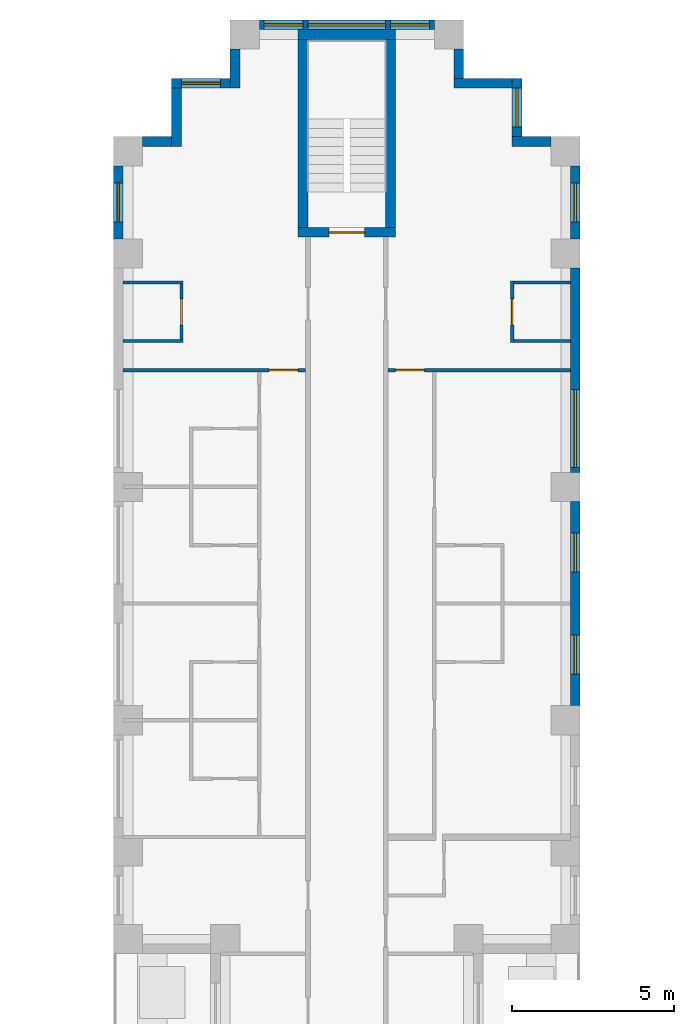
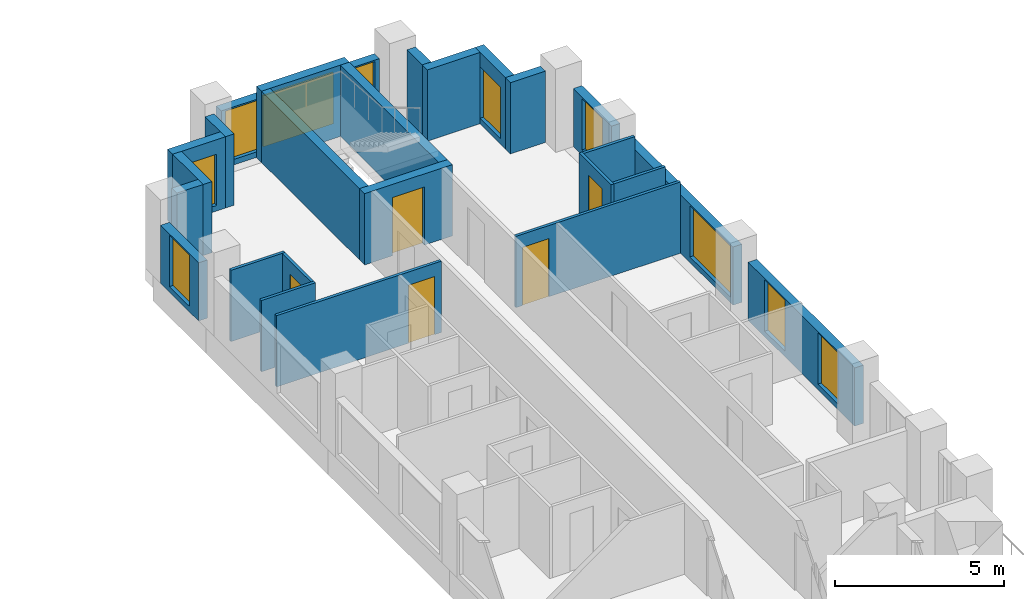
# One storey, part 12 of 15: 25 walls, 10 windows, 5 doors, 15 openings.
"""IFC4 building model written with IfcOpenShell, lengths in metres."""

from ifc_helpers import new_model, si_unit, direction, frame, frame_2d, origin, place, context, subcontext, project, spatial, rectangle, extrude, material, layer, layer_set, type_object, element, fill, save


model = new_model("IFC4")

# Units and contexts
model_context = context("Model", 3, precision=1e-05, world=origin(), true_north=direction((0.0, 1.0)))
body_context = subcontext(model_context, "Body", "Model", "MODEL_VIEW")
ifc_project = project(units=[si_unit("LENGTHUNIT", "METRE"), si_unit("AREAUNIT", "SQUARE_METRE"), si_unit("VOLUMEUNIT", "CUBIC_METRE"), si_unit("PLANEANGLEUNIT", "RADIAN"), si_unit("MASSUNIT", "GRAM", prefix="KILO")], contexts=[model_context])

# Site, building, storey
site_placement = place(None, origin())
site = spatial("IfcSite", under=ifc_project, at=site_placement, CompositionType="ELEMENT")
building_placement = place(site_placement, origin())
building = spatial("IfcBuilding", under=site, at=building_placement, Name="Fustian Cross Tower", CompositionType="ELEMENT")
storey_placement = place(building_placement, frame((0.0, 0.0, 29.699951171875)))
storey = spatial("IfcBuildingStorey", under=building, at=storey_placement, Name="L08", CompositionType="ELEMENT", Elevation=29.699951171875)

# Wall, opening, door
ifc_material_1 = material(Name="Plasterboard on steel stud", Category="steel")
ifc_layer_1 = layer(ifc_material_1, 0.10009765625)
ifc_layer_set_1 = layer_set([ifc_layer_1], Name="Plasterboard on steel stud")
wall_type_1 = type_object("IfcWallType", Name="PARTITION 100 STUD", PredefinedType="PARTITIONING", material=ifc_layer_set_1)
wall_1_placement = place(storey_placement, frame((-6.89990234375, 32.39990234375, 0.0), z_axis=(0.0, 0.0, 1.0), x_axis=(1.0, 0.0, 0.0)))
wall_1 = element("IfcWall", 1, at=wall_1_placement, inside=storey, type_object=wall_type_1, Name="Partition 18", PredefinedType="PARTITIONING", context=body_context, shape_type="SweptSolid", body=[
    extrude(rectangle(XDim=5.625, YDim=0.10009765625, at=frame_2d((2.8125, 0.0))), origin(), (0.0, 0.0, 1.0), 2.574951171875),
])
opening_1_placement = place(wall_1_placement, frame((4.5, 0.0, 0.0)))
opening_1 = element("IfcOpeningElement", 2, at=opening_1_placement, cuts=wall_1, Name="Opening D06027", PredefinedType="OPENING", context=body_context, shape_type="SweptSolid", body=[
    extrude(rectangle(XDim=0.89990234375, YDim=2.10009765625, at=frame_2d((0.449951171875, 1.050048828125))), frame((0.0, 0.06005859375, 0.0), z_axis=(0.0, -1.0, 0.0), x_axis=(1.0, 0.0, 0.0)), (0.0, 0.0, 1.0), 0.1201171875),
])
ifc_material_2 = material(Name="Painted timber", Category="wood")
door_type_1 = type_object("IfcDoorType", Name="SWING DOOR 900", OperationType="SINGLE_SWING_LEFT", PredefinedType="DOOR", material=ifc_material_2)
door_1_placement = place(opening_1_placement, frame((0.89990234375, 0.0, 0.0), z_axis=(0.0, 0.0, 1.0), x_axis=(-1.0, 0.0, 0.0)))
door_1 = element("IfcDoor", 3, at=door_1_placement, inside=storey, type_object=door_type_1, Name="Door D06027", OperationType="SINGLE_SWING_RIGHT", OverallHeight=2.10009765625, OverallWidth=0.89990234375, PredefinedType="DOOR", context=body_context, shape_type="SweptSolid", body=[
    extrude(rectangle(XDim=0.89990234375, YDim=2.10009765625, at=frame_2d((0.449951171875, 1.050048828125))), frame((0.0, 0.02490234375, 0.0), z_axis=(0.0, -1.0, 0.0), x_axis=(1.0, 0.0, 0.0)), (0.0, 0.0, 1.0), 0.050048828125),
])
fill(opening_1, door_1)

# Walls
for number, where, z_axis, x_axis, name in (
    (4, (-6.89990234375, 33.300048828125, 0.0), (0.0, 0.0, 1.0), (1.0, 0.0, 0.0), "Partition 19"),
    (5, (-6.89990234375, 35.10009765625, 0.0), (0.0, 0.0, 1.0), (1.0, 0.0, 0.0), "Partition 20"),
):
    element("IfcWall", number, at=place(storey_placement, frame(where, z_axis=z_axis, x_axis=x_axis)), inside=storey, type_object=wall_type_1, Name=name, PredefinedType="PARTITIONING", context=body_context, shape_type="SweptSolid", body=[
        extrude(rectangle(XDim=1.849853515625, YDim=0.10009765625, at=frame_2d((0.9248046875, 0.0))), origin(), (0.0, 0.0, 1.0), 2.574951171875),
    ])

# Wall, opening, door
wall_2_placement = place(storey_placement, frame((-5.10009765625, 33.35009765625, 0.0), z_axis=(0.0, 0.0, 1.0), x_axis=(0.0, 1.0, 0.0)))
wall_2 = element("IfcWall", 6, at=wall_2_placement, inside=storey, type_object=wall_type_1, Name="Partition 25", PredefinedType="PARTITIONING", context=body_context, shape_type="SweptSolid", body=[
    extrude(rectangle(XDim=1.699951171875, YDim=0.10009765625, at=frame_2d((0.85009765625, 0.0))), origin(), (0.0, 0.0, 1.0), 2.574951171875),
])
opening_2_placement = place(wall_2_placement, frame((0.449951171875, 0.0, 0.0)))
opening_2 = element("IfcOpeningElement", 7, at=opening_2_placement, cuts=wall_2, Name="Opening D06021", PredefinedType="OPENING", context=body_context, shape_type="SweptSolid", body=[
    extrude(rectangle(XDim=0.800048828125, YDim=2.10009765625, at=frame_2d((0.39990234375, 1.050048828125))), frame((0.0, 0.06005859375, 0.0), z_axis=(0.0, -1.0, 0.0), x_axis=(1.0, 0.0, 0.0)), (0.0, 0.0, 1.0), 0.1201171875),
])
ifc_material_3 = material(Name="Painted timber", Category="wood")
door_type_2 = type_object("IfcDoorType", Name="SWING DOOR 800", OperationType="SINGLE_SWING_LEFT", PredefinedType="DOOR", material=ifc_material_3)
door_2_placement = place(opening_2_placement, origin())
door_2 = element("IfcDoor", 8, at=door_2_placement, inside=storey, type_object=door_type_2, Name="Door D06021", OperationType="SINGLE_SWING_RIGHT", OverallHeight=2.10009765625, OverallWidth=0.800048828125, PredefinedType="DOOR", context=body_context, shape_type="SweptSolid", body=[
    extrude(rectangle(XDim=0.800048828125, YDim=2.10009765625, at=frame_2d((0.39990234375, 1.050048828125))), frame((0.0, 0.02490234375, 0.0), z_axis=(0.0, -1.0, 0.0), x_axis=(1.0, 0.0, 0.0)), (0.0, 0.0, 1.0), 0.050048828125),
])
fill(opening_2, door_2)

wall_3_placement = place(storey_placement, frame((1.27490234375, 32.39990234375, 0.0), z_axis=(0.0, 0.0, 1.0), x_axis=(1.0, 0.0, 0.0)))
wall_3 = element("IfcWall", 9, at=wall_3_placement, inside=storey, type_object=wall_type_1, Name="Partition 61", PredefinedType="PARTITIONING", context=body_context, shape_type="SweptSolid", body=[
    extrude(rectangle(XDim=5.625, YDim=0.10009765625, at=frame_2d((2.8125, 0.0))), origin(), (0.0, 0.0, 1.0), 2.574951171875),
])
opening_3_placement = place(wall_3_placement, frame((0.22509765625, 0.0, 0.0)))
opening_3 = element("IfcOpeningElement", 10, at=opening_3_placement, cuts=wall_3, Name="Opening D06037", PredefinedType="OPENING", context=body_context, shape_type="SweptSolid", body=[
    extrude(rectangle(XDim=0.89990234375, YDim=2.10009765625, at=frame_2d((0.449951171875, 1.050048828125))), frame((0.0, 0.06005859375, 0.0), z_axis=(0.0, -1.0, 0.0), x_axis=(1.0, 0.0, 0.0)), (0.0, 0.0, 1.0), 0.1201171875),
])
door_3_placement = place(opening_3_placement, frame((0.89990234375, 0.0, 0.0), z_axis=(0.0, 0.0, 1.0), x_axis=(-1.0, 0.0, 0.0)))
door_3 = element("IfcDoor", 11, at=door_3_placement, inside=storey, type_object=door_type_1, Name="Door D06037", OperationType="SINGLE_SWING_RIGHT", OverallHeight=2.10009765625, OverallWidth=0.89990234375, PredefinedType="DOOR", context=body_context, shape_type="SweptSolid", body=[
    extrude(rectangle(XDim=0.89990234375, YDim=2.10009765625, at=frame_2d((0.449951171875, 1.050048828125))), frame((0.0, 0.02490234375, 0.0), z_axis=(0.0, -1.0, 0.0), x_axis=(1.0, 0.0, 0.0)), (0.0, 0.0, 1.0), 0.050048828125),
])
fill(opening_3, door_3)

wall_4_placement = place(storey_placement, frame((5.10009765625, 33.25, 0.0), z_axis=(0.0, 0.0, 1.0), x_axis=(0.0, 1.0, 0.0)))
wall_4 = element("IfcWall", 12, at=wall_4_placement, inside=storey, type_object=wall_type_1, Name="Partition 84", PredefinedType="PARTITIONING", context=body_context, shape_type="SweptSolid", body=[
    extrude(rectangle(XDim=1.89990234375, YDim=0.10009765625, at=frame_2d((0.949951171875, 0.0))), origin(), (0.0, 0.0, 1.0), 2.574951171875),
])
opening_4_placement = place(wall_4_placement, frame((0.550048828125, 0.0, 0.0)))
opening_4 = element("IfcOpeningElement", 13, at=opening_4_placement, cuts=wall_4, Name="Opening D06035", PredefinedType="OPENING", context=body_context, shape_type="SweptSolid", body=[
    extrude(rectangle(XDim=0.800048828125, YDim=2.10009765625, at=frame_2d((0.39990234375, 1.050048828125))), frame((0.0, 0.06005859375, 0.0), z_axis=(0.0, -1.0, 0.0), x_axis=(1.0, 0.0, 0.0)), (0.0, 0.0, 1.0), 0.1201171875),
])
door_4_placement = place(opening_4_placement, frame((0.800048828125, 0.0, 0.0), z_axis=(0.0, 0.0, 1.0), x_axis=(-1.0, 0.0, 0.0)))
door_4 = element("IfcDoor", 14, at=door_4_placement, inside=storey, type_object=door_type_2, Name="Door D06035", OperationType="SINGLE_SWING_LEFT", OverallHeight=2.10009765625, OverallWidth=0.800048828125, PredefinedType="DOOR", context=body_context, shape_type="SweptSolid", body=[
    extrude(rectangle(XDim=0.800048828125, YDim=2.10009765625, at=frame_2d((0.39990234375, 1.050048828125))), frame((0.0, 0.02490234375, 0.0), z_axis=(0.0, -1.0, 0.0), x_axis=(1.0, 0.0, 0.0)), (0.0, 0.0, 1.0), 0.050048828125),
])
fill(opening_4, door_4)

# Walls
for number, where, z_axis, x_axis, name in (
    (15, (5.14990234375, 33.300048828125, 0.0), (0.0, 0.0, 1.0), (1.0, 0.0, 0.0), "Partition 85"),
    (16, (5.14990234375, 35.10009765625, 0.0), (0.0, 0.0, 1.0), (1.0, 0.0, 0.0), "Partition 86"),
):
    element("IfcWall", number, at=place(storey_placement, frame(where, z_axis=z_axis, x_axis=x_axis)), inside=storey, type_object=wall_type_1, Name=name, PredefinedType="PARTITIONING", context=body_context, shape_type="SweptSolid", body=[
        extrude(rectangle(XDim=1.75, YDim=0.10009765625, at=frame_2d((0.875, 0.0))), origin(), (0.0, 0.0, 1.0), 2.574951171875),
    ])

# Wall, opening, door
ifc_material_4 = material(Name="Concrete C50/60", Category="concrete")
ifc_layer_2 = layer(ifc_material_4, 0.300048828125)
ifc_layer_set_2 = layer_set([ifc_layer_2], Name="Concrete C50/60")
wall_type_2 = type_object("IfcWallType", Name="STAIR ENCLOSURE WALL 300 C50/60", PredefinedType="SHEAR", material=ifc_layer_set_2)
wall_5_placement = place(storey_placement, frame((-1.5, 36.64990234375, 0.0), z_axis=(0.0, 0.0, 1.0), x_axis=(1.0, 0.0, 0.0)))
wall_5 = element("IfcWall", 17, at=wall_5_placement, inside=storey, type_object=wall_type_2, Name="Stair enclosure wall", PredefinedType="SHEAR", context=body_context, shape_type="SweptSolid", body=[
    extrude(rectangle(XDim=3.0, YDim=0.300048828125, at=frame_2d((1.5, 0.0))), origin(), (0.0, 0.0, 1.0), 2.574951171875),
])
opening_5_placement = place(wall_5_placement, frame((0.949951171875, 0.0, 0.0)))
opening_5 = element("IfcOpeningElement", 18, at=opening_5_placement, cuts=wall_5, Name="Opening CD-06-31", PredefinedType="OPENING", context=body_context, shape_type="SweptSolid", body=[
    extrude(rectangle(XDim=1.10009765625, YDim=2.10009765625, at=frame_2d((0.550048828125, 1.050048828125))), frame((0.0, 0.159912109375, 0.0), z_axis=(0.0, -1.0, 0.0), x_axis=(1.0, 0.0, 0.0)), (0.0, 0.0, 1.0), 0.320068359375),
])
ifc_material_5 = material(Name="Steel", Category="steel")
door_type_3 = type_object("IfcDoorType", Name="FIRE DOOR FD60S 1100X2100", OperationType="SINGLE_SWING_LEFT", PredefinedType="DOOR", material=ifc_material_5)
door_5_placement = place(opening_5_placement, origin())
door_5 = element("IfcDoor", 19, at=door_5_placement, inside=storey, type_object=door_type_3, Name="Core door CD-06-31", OperationType="SINGLE_SWING_LEFT", OverallHeight=2.10009765625, OverallWidth=1.10009765625, PredefinedType="DOOR", context=body_context, shape_type="SweptSolid", body=[
    extrude(rectangle(XDim=1.10009765625, YDim=2.10009765625, at=frame_2d((0.550048828125, 1.050048828125))), frame((0.0, 0.02490234375, 0.0), z_axis=(0.0, -1.0, 0.0), x_axis=(1.0, 0.0, 0.0)), (0.0, 0.0, 1.0), 0.050048828125),
])
fill(opening_5, door_5)

# Walls
wall_6_placement = place(storey_placement, frame((-1.5, 42.75, 0.0), z_axis=(0.0, 0.0, 1.0), x_axis=(1.0, 0.0, 0.0)))
element("IfcWall", 20, at=wall_6_placement, inside=storey, type_object=wall_type_2, Name="Stair enclosure wall", PredefinedType="SHEAR", context=body_context, shape_type="SweptSolid", body=[
    extrude(rectangle(XDim=3.0, YDim=0.300048828125, at=frame_2d((1.5, 0.0))), origin(), (0.0, 0.0, 1.0), 2.574951171875),
])
for number, where, z_axis, x_axis, name in (
    (21, (-1.35009765625, 36.800048828125, 0.0), (0.0, 0.0, 1.0), (0.0, 1.0, 0.0), "Stair enclosure wall"),
    (22, (1.35009765625, 36.800048828125, 0.0), (0.0, 0.0, 1.0), (0.0, 1.0, 0.0), "Stair enclosure wall"),
):
    element("IfcWall", number, at=place(storey_placement, frame(where, z_axis=z_axis, x_axis=x_axis)), inside=storey, type_object=wall_type_2, Name=name, PredefinedType="SHEAR", context=body_context, shape_type="SweptSolid", body=[
        extrude(rectangle(XDim=5.800048828125, YDim=0.300048828125, at=frame_2d((2.89990234375, 0.0))), origin(), (0.0, 0.0, 1.0), 2.574951171875),
    ])

# Wall, openings, windows
ifc_material_6 = material(Name="Dark aluminium cladding on insulated backing wall", Category="aluminium")
ifc_layer_3 = layer(ifc_material_6, 0.300048828125)
ifc_layer_set_3 = layer_set([ifc_layer_3], Name="Dark aluminium cladding on insulated backing wall")
wall_type_3 = type_object("IfcWallType", Name="XW1 EXTERNAL WALL 300", PredefinedType="SOLIDWALL", material=ifc_layer_set_3)
wall_7_placement = place(storey_placement, frame((7.050048828125, 22.050048828125, 0.0), z_axis=(0.0, 0.0, 1.0), x_axis=(0.0, 1.0, 0.0)))
wall_7 = element("IfcWall", 23, at=wall_7_placement, inside=storey, type_object=wall_type_3, Name="External wall", PredefinedType="SOLIDWALL", context=body_context, shape_type="SweptSolid", body=[
    extrude(rectangle(XDim=6.300048828125, YDim=0.300048828125, at=frame_2d((3.14990234375, 0.0))), origin(), (0.0, 0.0, 1.0), 2.10009765625),
])
opening_6_placement = place(wall_7_placement, frame((0.97509765625, 0.0, 0.199951171875)))
opening_6 = element("IfcOpeningElement", 24, at=opening_6_placement, cuts=wall_7, Name="Opening WN3", PredefinedType="OPENING", context=body_context, shape_type="SweptSolid", body=[
    extrude(rectangle(XDim=1.199951171875, YDim=1.85009765625, at=frame_2d((0.60009765625, 0.925048828125))), frame((0.0, 0.159912109375, 0.0), z_axis=(0.0, -1.0, 0.0), x_axis=(1.0, 0.0, 0.0)), (0.0, 0.0, 1.0), 0.320068359375),
])
opening_7_placement = place(wall_7_placement, frame((4.125, 0.0, 0.199951171875)))
opening_7 = element("IfcOpeningElement", 25, at=opening_7_placement, cuts=wall_7, Name="Opening WN3", PredefinedType="OPENING", context=body_context, shape_type="SweptSolid", body=[
    extrude(rectangle(XDim=1.199951171875, YDim=1.85009765625, at=frame_2d((0.60009765625, 0.925048828125))), frame((0.0, 0.159912109375, 0.0), z_axis=(0.0, -1.0, 0.0), x_axis=(1.0, 0.0, 0.0)), (0.0, 0.0, 1.0), 0.320068359375),
])
ifc_material_7 = material(Name="Dark anodised aluminium and double glazing", Category="aluminium")
window_type_1 = type_object("IfcWindowType", Name="WN3 WINDOW 1200X1850", PartitioningType="SINGLE_PANEL", PredefinedType="WINDOW", material=ifc_material_7)
window_1_placement = place(opening_6_placement, origin())
window_1 = element("IfcWindow", 26, at=window_1_placement, inside=storey, type_object=window_type_1, Name="Window", OverallHeight=1.85009765625, OverallWidth=1.199951171875, PartitioningType="SINGLE_PANEL", PredefinedType="WINDOW", context=body_context, shape_type="SweptSolid", body=[
    extrude(rectangle(XDim=1.199951171875, YDim=1.85009765625, at=frame_2d((0.60009765625, 0.925048828125))), frame((0.0, 0.030029296875, 0.0), z_axis=(0.0, -1.0, 0.0), x_axis=(1.0, 0.0, 0.0)), (0.0, 0.0, 1.0), 0.06005859375),
])
fill(opening_6, window_1)
window_2_placement = place(opening_7_placement, origin())
window_2 = element("IfcWindow", 27, at=window_2_placement, inside=storey, type_object=window_type_1, Name="Window", OverallHeight=1.85009765625, OverallWidth=1.199951171875, PartitioningType="SINGLE_PANEL", PredefinedType="WINDOW", context=body_context, shape_type="SweptSolid", body=[
    extrude(rectangle(XDim=1.199951171875, YDim=1.85009765625, at=frame_2d((0.60009765625, 0.925048828125))), frame((0.0, 0.030029296875, 0.0), z_axis=(0.0, -1.0, 0.0), x_axis=(1.0, 0.0, 0.0)), (0.0, 0.0, 1.0), 0.06005859375),
])
fill(opening_7, window_2)

# Wall, opening, window
wall_8_placement = place(storey_placement, frame((7.050048828125, 29.25, 0.0), z_axis=(0.0, 0.0, 1.0), x_axis=(0.0, 1.0, 0.0)))
wall_8 = element("IfcWall", 28, at=wall_8_placement, inside=storey, type_object=wall_type_3, Name="External wall", PredefinedType="SOLIDWALL", context=body_context, shape_type="SweptSolid", body=[
    extrude(rectangle(XDim=6.300048828125, YDim=0.300048828125, at=frame_2d((3.14990234375, 0.0))), origin(), (0.0, 0.0, 1.0), 2.10009765625),
])
opening_8_placement = place(wall_8_placement, frame((0.14990234375, 0.0, 0.199951171875)))
opening_8 = element("IfcOpeningElement", 29, at=opening_8_placement, cuts=wall_8, Name="Opening WN1", PredefinedType="OPENING", context=body_context, shape_type="SweptSolid", body=[
    extrude(rectangle(XDim=2.39990234375, YDim=1.85009765625, at=frame_2d((1.199951171875, 0.925048828125))), frame((0.0, 0.159912109375, 0.0), z_axis=(0.0, -1.0, 0.0), x_axis=(1.0, 0.0, 0.0)), (0.0, 0.0, 1.0), 0.320068359375),
])
ifc_material_8 = material(Name="Dark anodised aluminium and double glazing", Category="aluminium")
window_type_2 = type_object("IfcWindowType", Name="WN1 WINDOW 2400X1850", PartitioningType="SINGLE_PANEL", PredefinedType="WINDOW", material=ifc_material_8)
window_3_placement = place(opening_8_placement, origin())
window_3 = element("IfcWindow", 30, at=window_3_placement, inside=storey, type_object=window_type_2, Name="Window", OverallHeight=1.85009765625, OverallWidth=2.39990234375, PartitioningType="SINGLE_PANEL", PredefinedType="WINDOW", context=body_context, shape_type="SweptSolid", body=[
    extrude(rectangle(XDim=2.39990234375, YDim=1.85009765625, at=frame_2d((1.199951171875, 0.925048828125))), frame((0.0, 0.030029296875, 0.0), z_axis=(0.0, -1.0, 0.0), x_axis=(1.0, 0.0, 0.0)), (0.0, 0.0, 1.0), 0.06005859375),
])
fill(opening_8, window_3)

wall_9_placement = place(storey_placement, frame((7.050048828125, 36.449951171875, 0.0), z_axis=(0.0, 0.0, 1.0), x_axis=(0.0, 1.0, 0.0)))
wall_9 = element("IfcWall", 31, at=wall_9_placement, inside=storey, type_object=wall_type_3, Name="External wall", PredefinedType="SOLIDWALL", context=body_context, shape_type="SweptSolid", body=[
    extrude(rectangle(XDim=2.25, YDim=0.300048828125, at=frame_2d((1.125, 0.0))), origin(), (0.0, 0.0, 1.0), 2.10009765625),
])
opening_9_placement = place(wall_9_placement, frame((0.52490234375, 0.0, 0.199951171875)))
opening_9 = element("IfcOpeningElement", 32, at=opening_9_placement, cuts=wall_9, Name="Opening WN3", PredefinedType="OPENING", context=body_context, shape_type="SweptSolid", body=[
    extrude(rectangle(XDim=1.199951171875, YDim=1.85009765625, at=frame_2d((0.60009765625, 0.925048828125))), frame((0.0, 0.159912109375, 0.0), z_axis=(0.0, -1.0, 0.0), x_axis=(1.0, 0.0, 0.0)), (0.0, 0.0, 1.0), 0.320068359375),
])
window_4_placement = place(opening_9_placement, origin())
window_4 = element("IfcWindow", 33, at=window_4_placement, inside=storey, type_object=window_type_1, Name="Window", OverallHeight=1.85009765625, OverallWidth=1.199951171875, PartitioningType="SINGLE_PANEL", PredefinedType="WINDOW", context=body_context, shape_type="SweptSolid", body=[
    extrude(rectangle(XDim=1.199951171875, YDim=1.85009765625, at=frame_2d((0.60009765625, 0.925048828125))), frame((0.0, 0.030029296875, 0.0), z_axis=(0.0, -1.0, 0.0), x_axis=(1.0, 0.0, 0.0)), (0.0, 0.0, 1.0), 0.06005859375),
])
fill(opening_9, window_4)

# Wall
wall_10_placement = place(storey_placement, frame((6.300048828125, 39.449951171875, 0.0), z_axis=(0.0, 0.0, 1.0), x_axis=(-1.0, 0.0, 0.0)))
element("IfcWall", 34, at=wall_10_placement, inside=storey, type_object=wall_type_3, Name="External wall", PredefinedType="SOLIDWALL", context=body_context, shape_type="SweptSolid", body=[
    extrude(rectangle(XDim=1.199951171875, YDim=0.300048828125, at=frame_2d((0.60009765625, 0.0))), origin(), (0.0, 0.0, 1.0), 2.574951171875),
])

# Wall, opening, window
wall_11_placement = place(storey_placement, frame((5.25, 39.60009765625, 0.0), z_axis=(0.0, 0.0, 1.0), x_axis=(0.0, 1.0, 0.0)))
wall_11 = element("IfcWall", 35, at=wall_11_placement, inside=storey, type_object=wall_type_3, Name="External wall", PredefinedType="SOLIDWALL", context=body_context, shape_type="SweptSolid", body=[
    extrude(rectangle(XDim=1.7998046875, YDim=0.300048828125, at=frame_2d((0.89990234375, 0.0))), origin(), (0.0, 0.0, 1.0), 2.574951171875),
])
opening_10_placement = place(wall_11_placement, frame((0.300048828125, 0.0, 0.199951171875)))
opening_10 = element("IfcOpeningElement", 36, at=opening_10_placement, cuts=wall_11, Name="Opening WN3", PredefinedType="OPENING", context=body_context, shape_type="SweptSolid", body=[
    extrude(rectangle(XDim=1.199951171875, YDim=1.85009765625, at=frame_2d((0.60009765625, 0.925048828125))), frame((0.0, 0.159912109375, 0.0), z_axis=(0.0, -1.0, 0.0), x_axis=(1.0, 0.0, 0.0)), (0.0, 0.0, 1.0), 0.320068359375),
])
window_5_placement = place(opening_10_placement, origin())
window_5 = element("IfcWindow", 37, at=window_5_placement, inside=storey, type_object=window_type_1, Name="Window", OverallHeight=1.85009765625, OverallWidth=1.199951171875, PartitioningType="SINGLE_PANEL", PredefinedType="WINDOW", context=body_context, shape_type="SweptSolid", body=[
    extrude(rectangle(XDim=1.199951171875, YDim=1.85009765625, at=frame_2d((0.60009765625, 0.925048828125))), frame((0.0, 0.030029296875, 0.0), z_axis=(0.0, -1.0, 0.0), x_axis=(1.0, 0.0, 0.0)), (0.0, 0.0, 1.0), 0.06005859375),
])
fill(opening_10, window_5)

# Walls
wall_12_placement = place(storey_placement, frame((5.10009765625, 41.25, 0.0), z_axis=(0.0, 0.0, 1.0), x_axis=(-1.0, 0.0, 0.0)))
element("IfcWall", 38, at=wall_12_placement, inside=storey, type_object=wall_type_3, Name="External wall", PredefinedType="SOLIDWALL", context=body_context, shape_type="SweptSolid", body=[
    extrude(rectangle(XDim=1.800048828125, YDim=0.300048828125, at=frame_2d((0.89990234375, 0.0))), origin(), (0.0, 0.0, 1.0), 2.574951171875),
])
wall_13_placement = place(storey_placement, frame((3.449951171875, 41.39990234375, 0.0), z_axis=(0.0, 0.0, 1.0), x_axis=(0.0, 1.0, 0.0)))
element("IfcWall", 39, at=wall_13_placement, inside=storey, type_object=wall_type_3, Name="External wall", PredefinedType="SOLIDWALL", context=body_context, shape_type="SweptSolid", body=[
    extrude(rectangle(XDim=0.900146484375, YDim=0.300048828125, at=frame_2d((0.4501953125, 0.0))), origin(), (0.0, 0.0, 1.0), 2.574951171875),
])

# Wall, openings, windows
wall_14_placement = place(storey_placement, frame((2.699951171875, 43.050048828125, 0.0), z_axis=(0.0, 0.0, 1.0), x_axis=(-1.0, 0.0, 0.0)))
wall_14 = element("IfcWall", 40, at=wall_14_placement, inside=storey, type_object=wall_type_3, Name="External wall", PredefinedType="SOLIDWALL", context=body_context, shape_type="SweptSolid", body=[
    extrude(rectangle(XDim=5.39990234375, YDim=0.300048828125, at=frame_2d((2.699951171875, 0.0))), origin(), (0.0, 0.0, 1.0), 2.10009765625),
])
opening_11_placement = place(wall_14_placement, frame((1.5, 0.0, 0.199951171875)))
opening_11 = element("IfcOpeningElement", 41, at=opening_11_placement, cuts=wall_14, Name="Opening WN1", PredefinedType="OPENING", context=body_context, shape_type="SweptSolid", body=[
    extrude(rectangle(XDim=2.39990234375, YDim=1.85009765625, at=frame_2d((1.199951171875, 0.925048828125))), frame((0.0, 0.159912109375, 0.0), z_axis=(0.0, -1.0, 0.0), x_axis=(1.0, 0.0, 0.0)), (0.0, 0.0, 1.0), 0.320068359375),
])
opening_12_placement = place(wall_14_placement, frame((0.14990234375, 0.0, 0.199951171875)))
opening_12 = element("IfcOpeningElement", 42, at=opening_12_placement, cuts=wall_14, Name="Opening WN3", PredefinedType="OPENING", context=body_context, shape_type="SweptSolid", body=[
    extrude(rectangle(XDim=1.199951171875, YDim=1.85009765625, at=frame_2d((0.60009765625, 0.925048828125))), frame((0.0, 0.159912109375, 0.0), z_axis=(0.0, -1.0, 0.0), x_axis=(1.0, 0.0, 0.0)), (0.0, 0.0, 1.0), 0.320068359375),
])
opening_13_placement = place(wall_14_placement, frame((4.050048828125, 0.0, 0.199951171875)))
opening_13 = element("IfcOpeningElement", 43, at=opening_13_placement, cuts=wall_14, Name="Opening WN3", PredefinedType="OPENING", context=body_context, shape_type="SweptSolid", body=[
    extrude(rectangle(XDim=1.199951171875, YDim=1.85009765625, at=frame_2d((0.60009765625, 0.925048828125))), frame((0.0, 0.159912109375, 0.0), z_axis=(0.0, -1.0, 0.0), x_axis=(1.0, 0.0, 0.0)), (0.0, 0.0, 1.0), 0.320068359375),
])
window_6_placement = place(opening_11_placement, origin())
window_6 = element("IfcWindow", 44, at=window_6_placement, inside=storey, type_object=window_type_2, Name="Window", OverallHeight=1.85009765625, OverallWidth=2.39990234375, PartitioningType="SINGLE_PANEL", PredefinedType="WINDOW", context=body_context, shape_type="SweptSolid", body=[
    extrude(rectangle(XDim=2.39990234375, YDim=1.85009765625, at=frame_2d((1.199951171875, 0.925048828125))), frame((0.0, 0.030029296875, 0.0), z_axis=(0.0, -1.0, 0.0), x_axis=(1.0, 0.0, 0.0)), (0.0, 0.0, 1.0), 0.06005859375),
])
fill(opening_11, window_6)
window_7_placement = place(opening_12_placement, origin())
window_7 = element("IfcWindow", 45, at=window_7_placement, inside=storey, type_object=window_type_1, Name="Window", OverallHeight=1.85009765625, OverallWidth=1.199951171875, PartitioningType="SINGLE_PANEL", PredefinedType="WINDOW", context=body_context, shape_type="SweptSolid", body=[
    extrude(rectangle(XDim=1.199951171875, YDim=1.85009765625, at=frame_2d((0.60009765625, 0.925048828125))), frame((0.0, 0.030029296875, 0.0), z_axis=(0.0, -1.0, 0.0), x_axis=(1.0, 0.0, 0.0)), (0.0, 0.0, 1.0), 0.06005859375),
])
fill(opening_12, window_7)
window_8_placement = place(opening_13_placement, origin())
window_8 = element("IfcWindow", 46, at=window_8_placement, inside=storey, type_object=window_type_1, Name="Window", OverallHeight=1.85009765625, OverallWidth=1.199951171875, PartitioningType="SINGLE_PANEL", PredefinedType="WINDOW", context=body_context, shape_type="SweptSolid", body=[
    extrude(rectangle(XDim=1.199951171875, YDim=1.85009765625, at=frame_2d((0.60009765625, 0.925048828125))), frame((0.0, 0.030029296875, 0.0), z_axis=(0.0, -1.0, 0.0), x_axis=(1.0, 0.0, 0.0)), (0.0, 0.0, 1.0), 0.06005859375),
])
fill(opening_13, window_8)

# Wall
wall_15_placement = place(storey_placement, frame((-3.449951171875, 42.300048828125, 0.0), z_axis=(0.0, 0.0, 1.0), x_axis=(0.0, -1.0, 0.0)))
element("IfcWall", 47, at=wall_15_placement, inside=storey, type_object=wall_type_3, Name="External wall", PredefinedType="SOLIDWALL", context=body_context, shape_type="SweptSolid", body=[
    extrude(rectangle(XDim=1.199951171875, YDim=0.300048828125, at=frame_2d((0.60009765625, 0.0))), origin(), (0.0, 0.0, 1.0), 2.574951171875),
])

# Wall, opening, window
wall_16_placement = place(storey_placement, frame((-3.60009765625, 41.25, 0.0), z_axis=(0.0, 0.0, 1.0), x_axis=(-1.0, 0.0, 0.0)))
wall_16 = element("IfcWall", 48, at=wall_16_placement, inside=storey, type_object=wall_type_3, Name="External wall", PredefinedType="SOLIDWALL", context=body_context, shape_type="SweptSolid", body=[
    extrude(rectangle(XDim=1.7998046875, YDim=0.300048828125, at=frame_2d((0.89990234375, 0.0))), origin(), (0.0, 0.0, 1.0), 2.574951171875),
])
opening_14_placement = place(wall_16_placement, frame((0.300048828125, 0.0, 0.199951171875)))
opening_14 = element("IfcOpeningElement", 49, at=opening_14_placement, cuts=wall_16, Name="Opening WN3", PredefinedType="OPENING", context=body_context, shape_type="SweptSolid", body=[
    extrude(rectangle(XDim=1.199951171875, YDim=1.85009765625, at=frame_2d((0.60009765625, 0.925048828125))), frame((0.0, 0.159912109375, 0.0), z_axis=(0.0, -1.0, 0.0), x_axis=(1.0, 0.0, 0.0)), (0.0, 0.0, 1.0), 0.320068359375),
])
window_9_placement = place(opening_14_placement, origin())
window_9 = element("IfcWindow", 50, at=window_9_placement, inside=storey, type_object=window_type_1, Name="Window", OverallHeight=1.85009765625, OverallWidth=1.199951171875, PartitioningType="SINGLE_PANEL", PredefinedType="WINDOW", context=body_context, shape_type="SweptSolid", body=[
    extrude(rectangle(XDim=1.199951171875, YDim=1.85009765625, at=frame_2d((0.60009765625, 0.925048828125))), frame((0.0, 0.030029296875, 0.0), z_axis=(0.0, -1.0, 0.0), x_axis=(1.0, 0.0, 0.0)), (0.0, 0.0, 1.0), 0.06005859375),
])
fill(opening_14, window_9)

# Walls
wall_17_placement = place(storey_placement, frame((-5.25, 41.10009765625, 0.0), z_axis=(0.0, 0.0, 1.0), x_axis=(0.0, -1.0, 0.0)))
element("IfcWall", 51, at=wall_17_placement, inside=storey, type_object=wall_type_3, Name="External wall", PredefinedType="SOLIDWALL", context=body_context, shape_type="SweptSolid", body=[
    extrude(rectangle(XDim=1.800048828125, YDim=0.300048828125, at=frame_2d((0.89990234375, 0.0))), origin(), (0.0, 0.0, 1.0), 2.574951171875),
])
wall_18_placement = place(storey_placement, frame((-5.39990234375, 39.449951171875, 0.0), z_axis=(0.0, 0.0, 1.0), x_axis=(-1.0, 0.0, 0.0)))
element("IfcWall", 52, at=wall_18_placement, inside=storey, type_object=wall_type_3, Name="External wall", PredefinedType="SOLIDWALL", context=body_context, shape_type="SweptSolid", body=[
    extrude(rectangle(XDim=0.900146484375, YDim=0.300048828125, at=frame_2d((0.4501953125, 0.0))), origin(), (0.0, 0.0, 1.0), 2.574951171875),
])

# Wall, opening, window
wall_19_placement = place(storey_placement, frame((-7.050048828125, 38.699951171875, 0.0), z_axis=(0.0, 0.0, 1.0), x_axis=(0.0, -1.0, 0.0)))
wall_19 = element("IfcWall", 53, at=wall_19_placement, inside=storey, type_object=wall_type_3, Name="External wall", PredefinedType="SOLIDWALL", context=body_context, shape_type="SweptSolid", body=[
    extrude(rectangle(XDim=2.25, YDim=0.300048828125, at=frame_2d((1.125, 0.0))), origin(), (0.0, 0.0, 1.0), 2.10009765625),
])
opening_15_placement = place(wall_19_placement, frame((0.52490234375, 0.0, 0.199951171875)))
opening_15 = element("IfcOpeningElement", 54, at=opening_15_placement, cuts=wall_19, Name="Opening WN3", PredefinedType="OPENING", context=body_context, shape_type="SweptSolid", body=[
    extrude(rectangle(XDim=1.199951171875, YDim=1.85009765625, at=frame_2d((0.60009765625, 0.925048828125))), frame((0.0, 0.159912109375, 0.0), z_axis=(0.0, -1.0, 0.0), x_axis=(1.0, 0.0, 0.0)), (0.0, 0.0, 1.0), 0.320068359375),
])
window_10_placement = place(opening_15_placement, origin())
window_10 = element("IfcWindow", 55, at=window_10_placement, inside=storey, type_object=window_type_1, Name="Window", OverallHeight=1.85009765625, OverallWidth=1.199951171875, PartitioningType="SINGLE_PANEL", PredefinedType="WINDOW", context=body_context, shape_type="SweptSolid", body=[
    extrude(rectangle(XDim=1.199951171875, YDim=1.85009765625, at=frame_2d((0.60009765625, 0.925048828125))), frame((0.0, 0.030029296875, 0.0), z_axis=(0.0, -1.0, 0.0), x_axis=(1.0, 0.0, 0.0)), (0.0, 0.0, 1.0), 0.06005859375),
])
fill(opening_15, window_10)

save(model, "model.ifc")
